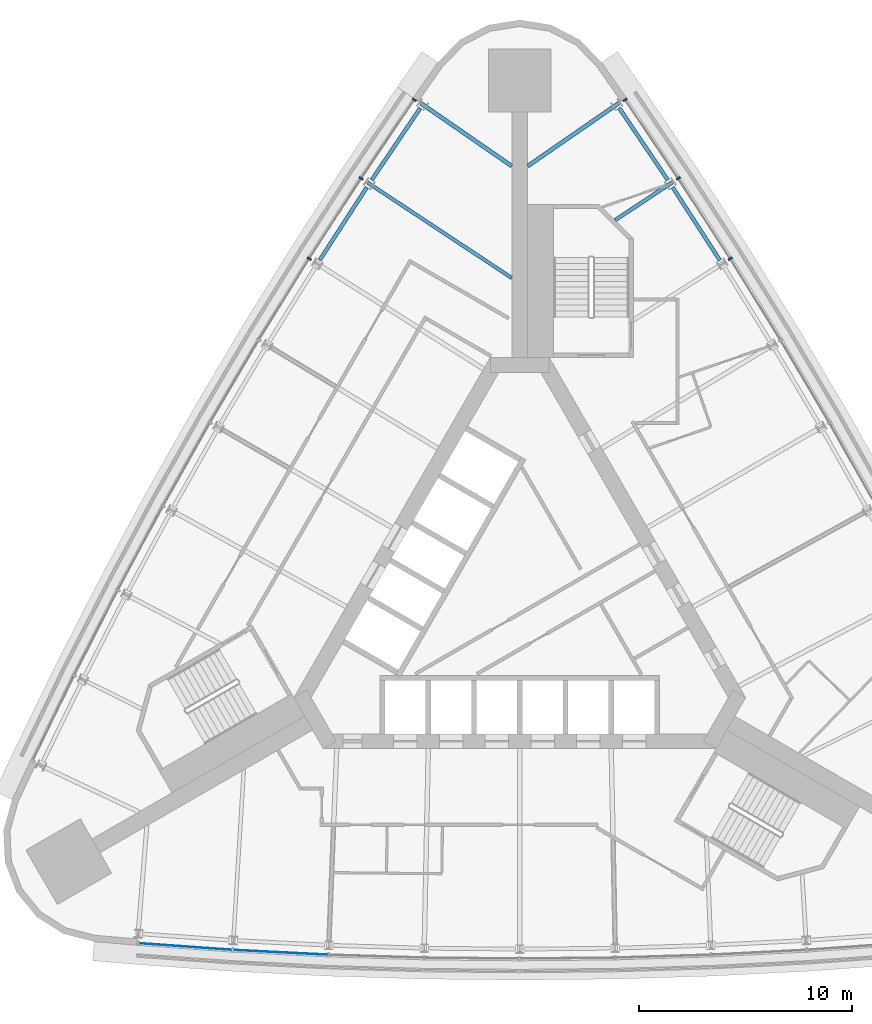
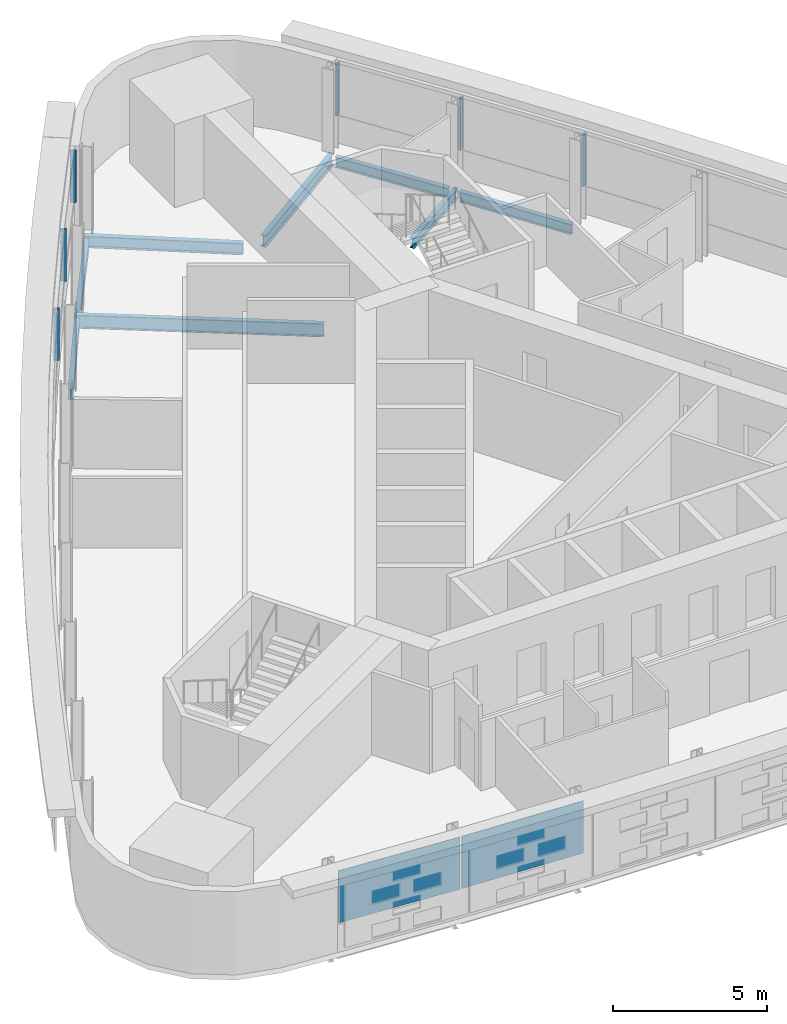
# One storey, part 5 of 11: 8 beams, 6 members, 2 plates, 3 elements without a shape of their own.
"""IFC4 building model written with IfcOpenShell, lengths in metres."""

from ifc_helpers import new_model, si_unit, direction, frame, origin, origin_2d, place, context, subcontext, project, spatial, rectangle, i_section, extrude, material, layer, layer_set, material_profile, profile_set, type_object, element, aggregate, save


model = new_model("IFC4")

# Units and contexts
model_context = context("Model", 3, precision=1e-05, world=origin(), true_north=direction((0.0, 1.0)))
body_context = subcontext(model_context, "Body", "Model", "MODEL_VIEW")
ifc_project = project(units=[si_unit("LENGTHUNIT", "METRE"), si_unit("AREAUNIT", "SQUARE_METRE"), si_unit("VOLUMEUNIT", "CUBIC_METRE"), si_unit("PLANEANGLEUNIT", "RADIAN"), si_unit("MASSUNIT", "GRAM", prefix="KILO")], contexts=[model_context])

# Site, building, storey
site_placement = place(None, origin())
site = spatial("IfcSite", under=ifc_project, at=site_placement, CompositionType="ELEMENT")
building_placement = place(site_placement, origin())
building = spatial("IfcBuilding", under=site, at=building_placement, Name="Noor Cloister Tower", CompositionType="ELEMENT")
storey_placement = place(building_placement, frame((0.0, 0.0, 123.89990234375)))
storey = spatial("IfcBuildingStorey", under=building, at=storey_placement, Name="L32", CompositionType="ELEMENT", Elevation=123.89990234375)

# Curtain wall, members
ifc_material_1 = material(Name="Aluminium 6063-T6 anodised", Category="aluminium")
curtain_wall_type = type_object("IfcCurtainWallType", Name="Ribbon curtain wall, lower tower CW1", PredefinedType="NOTDEFINED", material=ifc_material_1)
curtain_wall_1_placement = place(storey_placement, origin())
curtain_wall_1 = element("IfcCurtainWall", 1, at=curtain_wall_1_placement, inside=storey, type_object=curtain_wall_type, Name="CW1 L32 NW run 1", PredefinedType="NOTDEFINED")
ifc_material_2 = material(Name="Aluminium 6063-T6 anodised", Category="aluminium")
ifc_material_profile_1 = material_profile(ifc_material_2, rectangle(XDim=0.199951171875, YDim=0.080078125, at=origin_2d()), Name="200 x 80 mullion")
ifc_profile_set_1 = profile_set([ifc_material_profile_1], Name="Aluminium 6063-T6 anodised")
member_type = type_object("IfcMemberType", Name="Mullion CW1 80 x 200", PredefinedType="MULLION", material=ifc_profile_set_1)
member_1_placement = place(storey_placement, frame((-4.9521484375, 23.566650390625, 1.10009765625), z_axis=(0.0, 0.0, 1.0), x_axis=(0.828355501592, -0.560202787374, 0.0)))
member_1 = element("IfcMember", 2, at=member_1_placement, type_object=member_type, Name="CW1 mullion 1", PredefinedType="MULLION", context=body_context, shape_type="SweptSolid", body=[
    extrude(rectangle(XDim=0.199951171875, YDim=0.080078125, at=origin_2d()), origin(), (0.0, 0.0, 1.0), 2.050048828125),
])
member_2_placement = place(storey_placement, frame((-7.449951171875, 19.873046875, 1.10009765625), z_axis=(0.0, 0.0, 1.0), x_axis=(0.833997356538, -0.551768438105, 0.0)))
member_2 = element("IfcMember", 3, at=member_2_placement, type_object=member_type, Name="CW1 mullion 2", PredefinedType="MULLION", context=body_context, shape_type="SweptSolid", body=[
    extrude(rectangle(XDim=0.199951171875, YDim=0.080078125, at=origin_2d()), origin(), (0.0, 0.0, 1.0), 2.050048828125),
])
member_3_placement = place(storey_placement, frame((-9.8935546875, 16.096923828125, 1.10009765625), z_axis=(0.0, 0.0, 1.0), x_axis=(0.845022876611, -0.534730154381, 0.0)))
member_3 = element("IfcMember", 4, at=member_3_placement, type_object=member_type, Name="CW1 mullion 3", PredefinedType="MULLION", context=body_context, shape_type="SweptSolid", body=[
    extrude(rectangle(XDim=0.199951171875, YDim=0.080078125, at=origin_2d()), origin(), (0.0, 0.0, 1.0), 2.050048828125),
])
aggregate(curtain_wall_1, [member_1, member_2, member_3])

curtain_wall_2_placement = place(storey_placement, origin())
curtain_wall_2 = element("IfcCurtainWall", 5, at=curtain_wall_2_placement, inside=storey, type_object=curtain_wall_type, Name="CW1 L32 NE run 3", PredefinedType="NOTDEFINED")
member_4_placement = place(storey_placement, frame((9.8935546875, 16.096923828125, 1.10009765625), z_axis=(0.0, 0.0, 1.0), x_axis=(-0.845022876611, -0.534730154381, 0.0)))
member_4 = element("IfcMember", 6, at=member_4_placement, type_object=member_type, Name="CW1 mullion 7", PredefinedType="MULLION", context=body_context, shape_type="SweptSolid", body=[
    extrude(rectangle(XDim=0.199951171875, YDim=0.080078125, at=origin_2d()), origin(), (0.0, 0.0, 1.0), 2.050048828125),
])
member_5_placement = place(storey_placement, frame((7.449951171875, 19.873046875, 1.10009765625), z_axis=(0.0, 0.0, 1.0), x_axis=(-0.833997356538, -0.551768438105, 0.0)))
member_5 = element("IfcMember", 7, at=member_5_placement, type_object=member_type, Name="CW1 mullion 8", PredefinedType="MULLION", context=body_context, shape_type="SweptSolid", body=[
    extrude(rectangle(XDim=0.199951171875, YDim=0.080078125, at=origin_2d()), origin(), (0.0, 0.0, 1.0), 2.050048828125),
])
member_6_placement = place(storey_placement, frame((4.9521484375, 23.566650390625, 1.10009765625), z_axis=(0.0, 0.0, 1.0), x_axis=(-0.828355501592, -0.560202787374, 0.0)))
member_6 = element("IfcMember", 8, at=member_6_placement, type_object=member_type, Name="CW1 mullion 9", PredefinedType="MULLION", context=body_context, shape_type="SweptSolid", body=[
    extrude(rectangle(XDim=0.199951171875, YDim=0.080078125, at=origin_2d()), origin(), (0.0, 0.0, 1.0), 2.050048828125),
])
aggregate(curtain_wall_2, [member_4, member_5, member_6])

# Beams
ifc_material_3 = material(Name="Steel ASTM A992 Gr 50", Category="steel")
ifc_material_profile_2 = material_profile(ifc_material_3, i_section(OverallWidth=0.177978515625, OverallDepth=0.406005859375, WebThickness=0.0078125, FlangeThickness=0.0126953125, FilletRadius=0.01025390625, at=origin_2d()), Name="W410x60")
ifc_profile_set_2 = profile_set([ifc_material_profile_2], Name="Steel ASTM A992 Gr 50")
beam_type_1 = type_object("IfcBeamType", Name="Radial beam W410x60", PredefinedType="BEAM", material=ifc_profile_set_2)
beam_1_placement = place(storey_placement, frame((7.15869140625, 19.68017578125, -0.40283203125), z_axis=(-0.834011494553, -0.551747067916, 0.0), x_axis=(0.551747067916, -0.834011494553, 0.0)))
element("IfcBeam", 9, at=beam_1_placement, inside=storey, type_object=beam_type_1, Name="Radial beam NE 08 L32", PredefinedType="BEAM", context=body_context, shape_type="SweptSolid", body=[
    extrude(i_section(OverallWidth=0.177978515625, OverallDepth=0.406005859375, WebThickness=0.0078125, FlangeThickness=0.0126953125, FilletRadius=0.01025390625, at=origin_2d()), origin(), (0.0, 0.0, 1.0), 3.208984375),
])
ifc_material_4 = material(Name="Steel ASTM A992 Gr 50", Category="steel")
ifc_material_profile_3 = material_profile(ifc_material_4, i_section(OverallWidth=0.19091796875, OverallDepth=0.45703125, WebThickness=0.009033203125, FlangeThickness=0.014404296875, FilletRadius=0.01025390625, at=origin_2d()), Name="W460x74")
ifc_profile_set_3 = profile_set([ifc_material_profile_3], Name="Steel ASTM A992 Gr 50")
beam_type_2 = type_object("IfcBeamType", Name="Radial beam W460x74", PredefinedType="BEAM", material=ifc_profile_set_3)
for number, where, z_axis, x_axis, name in (
    (10, (-4.642822265625, 23.400146484375, -0.428466796875), (0.822637493893, -0.568566226258, 0.0), (0.568566226258, 0.822637493893, 0.0), "Radial beam NW 01 L32"),
    (11, (4.642822265625, 23.400146484375, -0.428466796875), (-0.822637493893, -0.568566226258, 0.0), (0.568566226258, -0.822637493893, 0.0), "Radial beam NE 09 L32"),
):
    element("IfcBeam", number, at=place(storey_placement, frame(where, z_axis=z_axis, x_axis=x_axis)), inside=storey, type_object=beam_type_2, Name=name, PredefinedType="BEAM", context=body_context, shape_type="SweptSolid", body=[
        extrude(i_section(OverallWidth=0.19091796875, OverallDepth=0.45703125, WebThickness=0.009033203125, FlangeThickness=0.014404296875, FilletRadius=0.01025390625, at=origin_2d()), origin(), (0.0, 0.0, 1.0), 5.18798828125),
    ])
ifc_material_5 = material(Name="Steel ASTM A992 Gr 50", Category="steel")
ifc_material_profile_4 = material_profile(ifc_material_5, i_section(OverallWidth=0.166015625, OverallDepth=0.528076171875, WebThickness=0.009765625, FlangeThickness=0.013671875, FilletRadius=0.0126953125, at=origin_2d()), Name="W530x74")
ifc_profile_set_4 = profile_set([ifc_material_profile_4], Name="Steel ASTM A992 Gr 50")
beam_type_3 = type_object("IfcBeamType", Name="Radial beam W530x74", PredefinedType="BEAM", material=ifc_profile_set_4)
beam_2_placement = place(storey_placement, frame((-7.15869140625, 19.68017578125, -0.4638671875), z_axis=(0.834012235429, -0.551745948019, 0.0), x_axis=(0.551745948019, 0.834012235429, 0.0)))
element("IfcBeam", 12, at=beam_2_placement, inside=storey, type_object=beam_type_3, Name="Radial beam NW 02 L32", PredefinedType="BEAM", context=body_context, shape_type="SweptSolid", body=[
    extrude(i_section(OverallWidth=0.166015625, OverallDepth=0.528076171875, WebThickness=0.009765625, FlangeThickness=0.013671875, FilletRadius=0.0126953125, at=origin_2d()), origin(), (0.0, 0.0, 1.0), 8.1337890625),
])
ifc_material_6 = material(Name="Steel ASTM A992 Gr 50", Category="steel")
ifc_material_profile_5 = material_profile(ifc_material_6, i_section(OverallWidth=0.177978515625, OverallDepth=0.406005859375, WebThickness=0.0078125, FlangeThickness=0.0126953125, FilletRadius=0.01025390625, at=origin_2d()), Name="W410x60")
ifc_profile_set_5 = profile_set([ifc_material_profile_5], Name="Steel ASTM A992 Gr 50")
beam_type_4 = type_object("IfcBeamType", Name="Spandrel beam W410x60", PredefinedType="SPANDREL", material=ifc_profile_set_5)
for number, where, z_axis, x_axis, name in (
    (13, (-4.67236328125, 23.177001953125, -0.40283203125), (-0.560200904677, -0.828356774826, 0.0), (0.828356774826, -0.560200904677, 0.0), "Spandrel beam NW 01 L32"),
    (14, (-7.18359375, 19.45654296875, -0.40283203125), (-0.543305756607, -0.839534903883, 0.0), (0.839534903883, -0.543305756607, 0.0), "Spandrel beam NW 02 L32"),
    (15, (9.404541015625, 16.024658203125, -0.40283203125), (-0.543305756607, 0.839534903883, 0.0), (-0.839534903883, -0.543305756607, 0.0), "Spandrel beam NE 07 L32"),
    (16, (6.96240234375, 19.790771484375, -0.40283203125), (-0.560200904677, 0.828356774826, 0.0), (-0.828356774826, -0.560200904677, 0.0), "Spandrel beam NE 08 L32"),
):
    element("IfcBeam", number, at=place(storey_placement, frame(where, z_axis=z_axis, x_axis=x_axis)), inside=storey, type_object=beam_type_4, Name=name, PredefinedType="SPANDREL", context=body_context, shape_type="SweptSolid", body=[
        extrude(i_section(OverallWidth=0.177978515625, OverallDepth=0.406005859375, WebThickness=0.0078125, FlangeThickness=0.0126953125, FilletRadius=0.01025390625, at=origin_2d()), origin(), (0.0, 0.0, 1.0), 4.087890625),
    ])

# Curtain wall, plates
curtain_wall_3_placement = place(storey_placement, origin())
curtain_wall_3 = element("IfcCurtainWall", 17, at=curtain_wall_3_placement, inside=storey, type_object=curtain_wall_type, Name="CW1 L32 S run 2", PredefinedType="NOTDEFINED")
ifc_material_7 = material(Name="Clear laminated glass 2 x 8 mm", Category="glass")
ifc_layer = layer(ifc_material_7, 0.028076171875)
ifc_layer_set = layer_set([ifc_layer], Name="Glass panel CW1")
plate_type = type_object("IfcPlateType", Name="Glass panel CW1", PredefinedType="CURTAIN_PANEL", material=ifc_layer_set)
plate_1_placement = place(storey_placement, frame((-15.70947265625, -16.230224609375, 1.08984375), z_axis=(0.0, 0.0, 1.0), x_axis=(0.997478301431, -0.070972094341, 0.0)))
plate_1 = element("IfcPlate", 18, at=plate_1_placement, type_object=plate_type, Name="CW1 glass panel 1", PredefinedType="CURTAIN_PANEL", context=body_context, shape_type="SweptSolid", body=[
    extrude(rectangle(XDim=4.39892578125, YDim=0.028076171875, at=origin_2d()), origin(), (0.0, 0.0, 1.0), 2.070068359375),
])
plate_2_placement = place(storey_placement, frame((-11.239501953125, -16.50244140625, 1.08984375), z_axis=(0.0, 0.0, 1.0), x_axis=(0.998713153589, -0.050715252611, 0.0)))
plate_2 = element("IfcPlate", 19, at=plate_2_placement, type_object=plate_type, Name="CW1 glass panel 2", PredefinedType="CURTAIN_PANEL", context=body_context, shape_type="SweptSolid", body=[
    extrude(rectangle(XDim=4.43798828125, YDim=0.028076171875, at=origin_2d()), origin(), (0.0, 0.0, 1.0), 2.070068359375),
])
aggregate(curtain_wall_3, [plate_1, plate_2])

save(model, "model.ifc")
